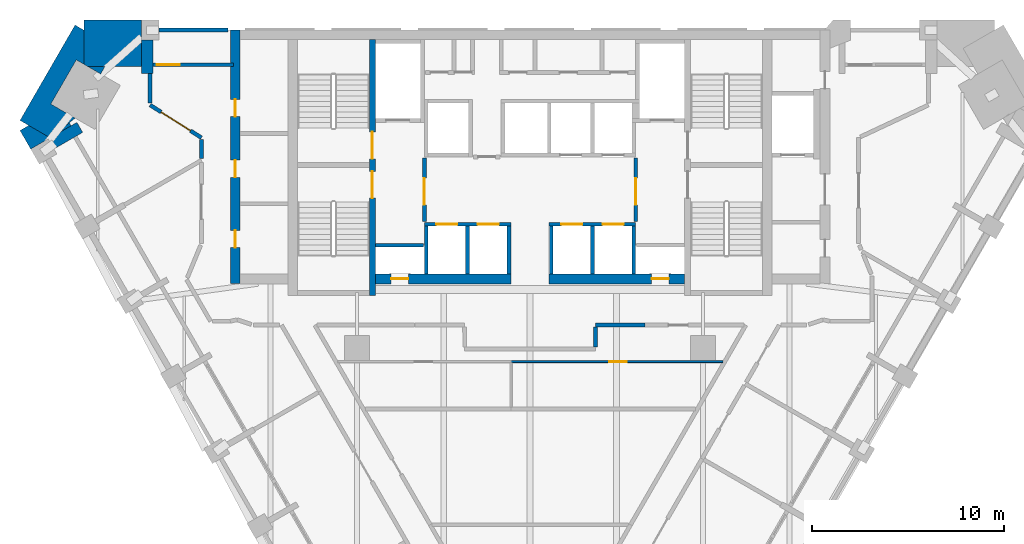
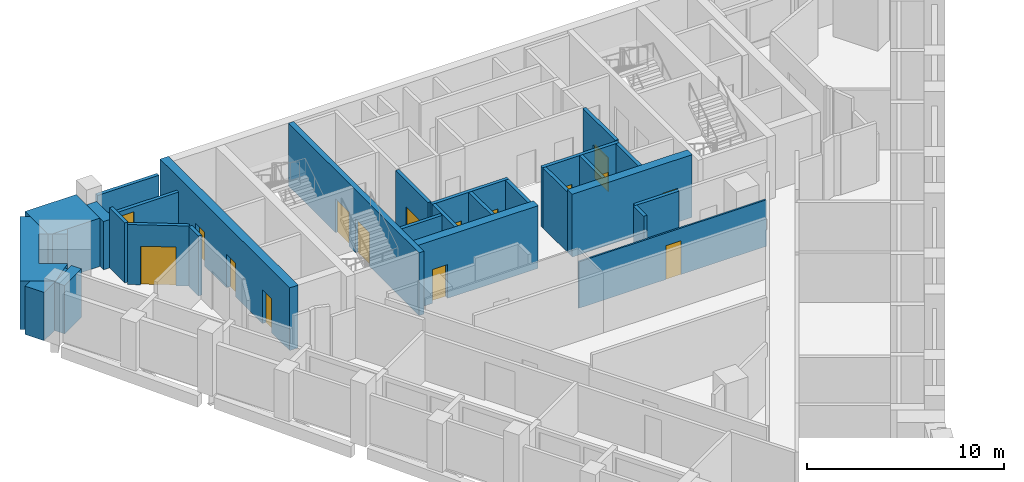
# One storey, part 5 of 10: 29 walls, 16 doors, 16 openings.
"""IFC4 building model written with IfcOpenShell, lengths in metres."""

from ifc_helpers import new_model, si_unit, direction, frame, frame_2d, origin, place, context, subcontext, project, spatial, polyline, rectangle, outline, extrude, material, layer, layer_set, type_object, element, fill, save


model = new_model("IFC4")

# Units and contexts
model_context = context("Model", 3, precision=1e-05, world=origin(), true_north=direction((0.0, 1.0)))
body_context = subcontext(model_context, "Body", "Model", "MODEL_VIEW")
ifc_project = project(units=[si_unit("LENGTHUNIT", "METRE"), si_unit("AREAUNIT", "SQUARE_METRE"), si_unit("VOLUMEUNIT", "CUBIC_METRE"), si_unit("PLANEANGLEUNIT", "RADIAN"), si_unit("MASSUNIT", "GRAM", prefix="KILO")], contexts=[model_context])

# Site, building, storey
site_placement = place(None, origin())
site = spatial("IfcSite", under=ifc_project, at=site_placement, CompositionType="ELEMENT")
building_placement = place(site_placement, origin())
building = spatial("IfcBuilding", under=site, at=building_placement, Name="Calabash Gate Tower", CompositionType="ELEMENT")
storey_placement = place(building_placement, frame((0.0, 0.0, 175.800048828125)))
storey = spatial("IfcBuildingStorey", under=building, at=storey_placement, Name="L41", CompositionType="ELEMENT", Elevation=175.800048828125)

# Walls
ifc_material_1 = material(Name="Terracotta brick masonry, exposed face", Category="masonry")
ifc_layer_1 = layer(ifc_material_1, 2.425048828125)
ifc_layer_set_1 = layer_set([ifc_layer_1], Name="Brick corner mass wall 2425")
wall_type_1 = type_object("IfcWallType", Name="Brick corner mass wall 2425", PredefinedType="SOLIDWALL", material=ifc_layer_set_1)
wall_1_placement = place(storey_placement, origin())
element("IfcWall", 1, at=wall_1_placement, inside=storey, type_object=wall_type_1, Name="Brick corner pier S11 4a", PredefinedType="SOLIDWALL", context=body_context, shape_type="SweptSolid", body=[
    extrude(outline(polyline([(-23.010986328125, 17.152587890625), (-20.220458984375, 17.152587890625), (-20.220458984375, 19.57763671875), (-23.2216796875, 19.57763671875), (-23.2216796875, 17.274169921875), (-23.010986328125, 17.152587890625)])), origin(), (0.0, 0.0, 1.0), 3.0),
])
wall_2_placement = place(storey_placement, origin())
element("IfcWall", 2, at=wall_2_placement, inside=storey, type_object=wall_type_1, Name="Brick corner pier S11 4ba", PredefinedType="SOLIDWALL", context=body_context, shape_type="SweptSolid", body=[
    extrude(outline(polyline([(-23.67138671875, 14.473876953125), (-24.93603515625, 15.2041015625), (-23.611083984375, 17.4990234375), (-23.2216796875, 17.274169921875), (-23.2216796875, 19.052490234375), (-23.676513671875, 19.31494140625), (-26.541748046875, 14.352294921875), (-24.970458984375, 13.4453125), (-23.67138671875, 14.473876953125)])), origin(), (0.0, 0.0, 1.0), 3.0),
])
wall_3_placement = place(storey_placement, origin())
element("IfcWall", 3, at=wall_3_placement, inside=storey, type_object=wall_type_1, Name="Brick corner pier S11 4bb", PredefinedType="SOLIDWALL", context=body_context, shape_type="SweptSolid", body=[
    extrude(outline(polyline([(-22.124755859375, 17.152587890625), (-23.010986328125, 17.152587890625), (-22.346435546875, 16.768798828125), (-22.124755859375, 17.152587890625)])), origin(), (0.0, 0.0, 1.0), 3.0),
])
wall_4_placement = place(storey_placement, origin())
element("IfcWall", 4, at=wall_4_placement, inside=storey, type_object=wall_type_1, Name="Brick corner pier S11 4c", PredefinedType="SOLIDWALL", context=body_context, shape_type="SweptSolid", body=[
    extrude(outline(polyline([(-23.9755859375, 14.23291015625), (-24.970458984375, 13.4453125), (-26.0869140625, 14.08984375), (-26.541748046875, 13.827392578125), (-25.9833984375, 12.8603515625), (-25.07421875, 13.38525390625), (-25.07421875, 13.38525390625), (-23.88330078125, 14.07275390625), (-23.9755859375, 14.23291015625)])), origin(), (0.0, 0.0, 1.0), 3.0),
])
ifc_material_2 = material(Name="Terracotta brick masonry, exposed face", Category="masonry")
ifc_layer_2 = layer(ifc_material_2, 0.300048828125)
ifc_layer_set_2 = layer_set([ifc_layer_2], Name="Brick loggia cheek wall 300")
wall_type_2 = type_object("IfcWallType", Name="Brick loggia cheek wall 300", PredefinedType="SOLIDWALL", material=ifc_layer_set_2)
wall_5_placement = place(storey_placement, frame((-24.924072265625, 13.12548828125, 0.0), z_axis=(0.0, 0.0, 1.0), x_axis=(0.866013532718, 0.500020560727, 0.0)))
element("IfcWall", 5, at=wall_5_placement, inside=storey, type_object=wall_type_2, Name="Loggia cheek S11 SW0.0", PredefinedType="SOLIDWALL", context=body_context, shape_type="SweptSolid", body=[
    extrude(rectangle(XDim=1.72509765625, YDim=0.60009765625, at=frame_2d((0.862548828125, 0.0))), origin(), (0.0, 0.0, 1.0), 3.0),
])
wall_6_placement = place(storey_placement, origin())
element("IfcWall", 6, at=wall_6_placement, inside=storey, type_object=wall_type_2, Name="Loggia cheek S11 N6.9", PredefinedType="SOLIDWALL", context=body_context, shape_type="SweptSolid", body=[
    extrude(outline(polyline([(-20.220458984375, 18.527587890625), (-20.220458984375, 16.802490234375), (-19.620361328125, 16.802490234375), (-19.620361328125, 18.527587890625), (-20.220458984375, 18.527587890625)])), origin(), (0.0, 0.0, 1.0), 3.0),
])

# Wall, openings, doors
ifc_material_3 = material(Name="Concrete C70/85", Category="concrete")
ifc_layer_3 = layer(ifc_material_3, 0.300048828125)
ifc_layer_set_3 = layer_set([ifc_layer_3], Name="Core wall 300 Concrete C70/85")
wall_type_3 = type_object("IfcWallType", Name="Core wall 300 Concrete C70/85", PredefinedType="SHEAR", material=ifc_layer_set_3)
wall_7_placement = place(storey_placement, frame((-8.199951171875, 5.252685546875, 0.0), z_axis=(0.0, 0.0, 1.0), x_axis=(0.0, 1.0, 0.0)))
wall_7 = element("IfcWall", 7, at=wall_7_placement, inside=storey, type_object=wall_type_3, Name="Core wall Z3-PARTW L41", PredefinedType="SHEAR", context=body_context, shape_type="SweptSolid", body=[
    extrude(rectangle(XDim=13.2998046875, YDim=0.300048828125, at=frame_2d((6.64990234375, 0.0))), origin(), (0.0, 0.0, 1.0), 3.89990234375),
])
opening_1_placement = place(wall_7_placement, frame((7.10009765625, 0.0, 0.0)))
opening_1 = element("IfcOpeningElement", 8, at=opening_1_placement, cuts=wall_7, Name="Opening O3-017", PredefinedType="OPENING", context=body_context, shape_type="SweptSolid", body=[
    extrude(rectangle(XDim=1.39990234375, YDim=2.10009765625, at=frame_2d((0.699951171875, 1.050048828125))), frame((0.0, 0.159912109375, 0.0), z_axis=(0.0, -1.0, 0.0), x_axis=(1.0, 0.0, 0.0)), (0.0, 0.0, 1.0), 0.320068359375),
])
opening_2_placement = place(wall_7_placement, frame((5.050048828125, 0.0, 0.0)))
opening_2 = element("IfcOpeningElement", 9, at=opening_2_placement, cuts=wall_7, Name="Opening O3-018", PredefinedType="OPENING", context=body_context, shape_type="SweptSolid", body=[
    extrude(rectangle(XDim=1.39990234375, YDim=2.10009765625, at=frame_2d((0.699951171875, 1.050048828125))), frame((0.0, 0.159912109375, 0.0), z_axis=(0.0, -1.0, 0.0), x_axis=(1.0, 0.0, 0.0)), (0.0, 0.0, 1.0), 0.320068359375),
])
ifc_material_4 = material(Name="Steel fire door set with fire-resisting glazing", Category="steel")
door_type_1 = type_object("IfcDoorType", Name="Fire door D05 1400x2100 FD90", OperationType="NOTDEFINED", PredefinedType="DOOR", material=ifc_material_4)
door_1_placement = place(opening_1_placement, origin())
door_1 = element("IfcDoor", 10, at=door_1_placement, inside=storey, type_object=door_type_1, Name="Exit stair door ST1", OperationType="SINGLE_SWING_LEFT", OverallHeight=2.10009765625, OverallWidth=1.39990234375, PredefinedType="DOOR", context=body_context, shape_type="SweptSolid", body=[
    extrude(rectangle(XDim=1.39990234375, YDim=2.10009765625, at=frame_2d((0.699951171875, 1.050048828125))), frame((0.0, 0.02490234375, 0.0), z_axis=(0.0, -1.0, 0.0), x_axis=(1.0, 0.0, 0.0)), (0.0, 0.0, 1.0), 0.050048828125),
])
fill(opening_1, door_1)
door_2_placement = place(opening_2_placement, origin())
door_2 = element("IfcDoor", 11, at=door_2_placement, inside=storey, type_object=door_type_1, Name="Exit stair door ST2", OperationType="SINGLE_SWING_LEFT", OverallHeight=2.10009765625, OverallWidth=1.39990234375, PredefinedType="DOOR", context=body_context, shape_type="SweptSolid", body=[
    extrude(rectangle(XDim=1.39990234375, YDim=2.10009765625, at=frame_2d((0.699951171875, 1.050048828125))), frame((0.0, 0.02490234375, 0.0), z_axis=(0.0, -1.0, 0.0), x_axis=(1.0, 0.0, 0.0)), (0.0, 0.0, 1.0), 0.050048828125),
])
fill(opening_2, door_2)

# Wall, opening, door
ifc_material_5 = material(Name="Concrete C70/85", Category="concrete")
ifc_layer_4 = layer(ifc_material_5, 0.5)
ifc_layer_set_4 = layer_set([ifc_layer_4], Name="Core wall 500 Concrete C70/85")
wall_type_4 = type_object("IfcWallType", Name="Core wall 500 Concrete C70/85", PredefinedType="SHEAR", material=ifc_layer_set_4)
wall_8_placement = place(storey_placement, frame((-8.050048828125, 6.1025390625, 0.0), z_axis=(0.0, 0.0, 1.0), x_axis=(1.0, 0.0, 0.0)))
wall_8 = element("IfcWall", 12, at=wall_8_placement, inside=storey, type_object=wall_type_4, Name="Core wall Z3-SA L41", PredefinedType="SHEAR", context=body_context, shape_type="SweptSolid", body=[
    extrude(rectangle(XDim=7.050048828125, YDim=0.5, at=frame_2d((3.52490234375, 0.0))), origin(), (0.0, 0.0, 1.0), 3.89990234375),
])
opening_3_placement = place(wall_8_placement, frame((0.824951171875, 0.0, 0.0)))
opening_3 = element("IfcOpeningElement", 13, at=opening_3_placement, cuts=wall_8, Name="Opening O3-016", PredefinedType="OPENING", context=body_context, shape_type="SweptSolid", body=[
    extrude(rectangle(XDim=0.89990234375, YDim=2.10009765625, at=frame_2d((0.449951171875, 1.050048828125))), frame((0.0, 0.260009765625, 0.0), z_axis=(0.0, -1.0, 0.0), x_axis=(1.0, 0.0, 0.0)), (0.0, 0.0, 1.0), 0.52001953125),
])
ifc_material_6 = material(Name="Steel fire door set with fire-resisting glazing", Category="steel")
door_type_2 = type_object("IfcDoorType", Name="Fire door D07 900x2100 FD90", OperationType="NOTDEFINED", PredefinedType="DOOR", material=ifc_material_6)
door_3_placement = place(opening_3_placement, origin())
door_3 = element("IfcDoor", 14, at=door_3_placement, inside=storey, type_object=door_type_2, Name="Electrical Riser W door", OperationType="SINGLE_SWING_LEFT", OverallHeight=2.10009765625, OverallWidth=0.89990234375, PredefinedType="DOOR", context=body_context, shape_type="SweptSolid", body=[
    extrude(rectangle(XDim=0.89990234375, YDim=2.10009765625, at=frame_2d((0.449951171875, 1.050048828125))), frame((0.0, 0.02490234375, 0.0), z_axis=(0.0, -1.0, 0.0), x_axis=(1.0, 0.0, 0.0)), (0.0, 0.0, 1.0), 0.050048828125),
])
fill(opening_3, door_3)

wall_9_placement = place(storey_placement, frame((1.0, 6.1025390625, 0.0), z_axis=(0.0, 0.0, 1.0), x_axis=(1.0, 0.0, 0.0)))
wall_9 = element("IfcWall", 15, at=wall_9_placement, inside=storey, type_object=wall_type_4, Name="Core wall Z3-SB L41", PredefinedType="SHEAR", context=body_context, shape_type="SweptSolid", body=[
    extrude(rectangle(XDim=7.050048828125, YDim=0.5, at=frame_2d((3.52490234375, 0.0))), origin(), (0.0, 0.0, 1.0), 3.89990234375),
])
opening_4_placement = place(wall_9_placement, frame((5.324951171875, 0.0, 0.0)))
opening_4 = element("IfcOpeningElement", 16, at=opening_4_placement, cuts=wall_9, Name="Opening O3-015", PredefinedType="OPENING", context=body_context, shape_type="SweptSolid", body=[
    extrude(rectangle(XDim=0.89990234375, YDim=2.10009765625, at=frame_2d((0.449951171875, 1.050048828125))), frame((0.0, 0.260009765625, 0.0), z_axis=(0.0, -1.0, 0.0), x_axis=(1.0, 0.0, 0.0)), (0.0, 0.0, 1.0), 0.52001953125),
])
door_4_placement = place(opening_4_placement, origin())
door_4 = element("IfcDoor", 17, at=door_4_placement, inside=storey, type_object=door_type_2, Name="Mechanical Riser E door", OperationType="SINGLE_SWING_RIGHT", OverallHeight=2.10009765625, OverallWidth=0.89990234375, PredefinedType="DOOR", context=body_context, shape_type="SweptSolid", body=[
    extrude(rectangle(XDim=0.89990234375, YDim=2.10009765625, at=frame_2d((0.449951171875, 1.050048828125))), frame((0.0, 0.02490234375, 0.0), z_axis=(0.0, -1.0, 0.0), x_axis=(1.0, 0.0, 0.0)), (0.0, 0.0, 1.0), 0.050048828125),
])
fill(opening_4, door_4)

# Wall, openings, doors
wall_10_placement = place(storey_placement, frame((-15.35009765625, 5.8525390625, 0.0), z_axis=(0.0, 0.0, 1.0), x_axis=(0.0, 1.0, 0.0)))
wall_10 = element("IfcWall", 18, at=wall_10_placement, inside=storey, type_object=wall_type_4, Name="Core wall Z3-ENDW L41", PredefinedType="SHEAR", context=body_context, shape_type="SweptSolid", body=[
    extrude(rectangle(XDim=13.199951171875, YDim=0.5, at=frame_2d((6.60009765625, 0.0))), origin(), (0.0, 0.0, 1.0), 3.89990234375),
])
opening_5_placement = place(wall_10_placement, frame((1.8798828125, 0.0, 0.0)))
opening_5 = element("IfcOpeningElement", 19, at=opening_5_placement, cuts=wall_10, Name="Opening O3-004", PredefinedType="OPENING", context=body_context, shape_type="SweptSolid", body=[
    extrude(rectangle(XDim=0.89990234375, YDim=2.10009765625, at=frame_2d((0.449951171875, 1.050048828125))), frame((0.0, 0.260009765625, 0.0), z_axis=(0.0, -1.0, 0.0), x_axis=(1.0, 0.0, 0.0)), (0.0, 0.0, 1.0), 0.52001953125),
])
opening_6_placement = place(wall_10_placement, frame((5.5400390625, 0.0, 0.0)))
opening_6 = element("IfcOpeningElement", 20, at=opening_6_placement, cuts=wall_10, Name="Opening O3-005", PredefinedType="OPENING", context=body_context, shape_type="SweptSolid", body=[
    extrude(rectangle(XDim=0.89990234375, YDim=2.10009765625, at=frame_2d((0.449951171875, 1.050048828125))), frame((0.0, 0.260009765625, 0.0), z_axis=(0.0, -1.0, 0.0), x_axis=(1.0, 0.0, 0.0)), (0.0, 0.0, 1.0), 0.52001953125),
])
opening_7_placement = place(wall_10_placement, frame((8.697509765625, 0.0, 0.0)))
opening_7 = element("IfcOpeningElement", 21, at=opening_7_placement, cuts=wall_10, Name="Opening O3-006", PredefinedType="OPENING", context=body_context, shape_type="SweptSolid", body=[
    extrude(rectangle(XDim=0.89990234375, YDim=2.10009765625, at=frame_2d((0.449951171875, 1.050048828125))), frame((0.0, 0.260009765625, 0.0), z_axis=(0.0, -1.0, 0.0), x_axis=(1.0, 0.0, 0.0)), (0.0, 0.0, 1.0), 0.52001953125),
])
ifc_material_7 = material(Name="Steel fire door set with fire-resisting glazing", Category="steel")
door_type_3 = type_object("IfcDoorType", Name="Fire door D06 900x2100 FD60", OperationType="NOTDEFINED", PredefinedType="DOOR", material=ifc_material_7)
door_5_placement = place(opening_5_placement, origin())
door_5 = element("IfcDoor", 22, at=door_5_placement, inside=storey, type_object=door_type_3, Name="Cleaner's Store door", OperationType="SINGLE_SWING_LEFT", OverallHeight=2.10009765625, OverallWidth=0.89990234375, PredefinedType="DOOR", context=body_context, shape_type="SweptSolid", body=[
    extrude(rectangle(XDim=0.89990234375, YDim=2.10009765625, at=frame_2d((0.449951171875, 1.050048828125))), frame((0.0, 0.02490234375, 0.0), z_axis=(0.0, -1.0, 0.0), x_axis=(1.0, 0.0, 0.0)), (0.0, 0.0, 1.0), 0.050048828125),
])
fill(opening_5, door_5)
door_6_placement = place(opening_6_placement, origin())
door_6 = element("IfcDoor", 23, at=door_6_placement, inside=storey, type_object=door_type_3, Name="Print Room door", OperationType="SINGLE_SWING_LEFT", OverallHeight=2.10009765625, OverallWidth=0.89990234375, PredefinedType="DOOR", context=body_context, shape_type="SweptSolid", body=[
    extrude(rectangle(XDim=0.89990234375, YDim=2.10009765625, at=frame_2d((0.449951171875, 1.050048828125))), frame((0.0, 0.02490234375, 0.0), z_axis=(0.0, -1.0, 0.0), x_axis=(1.0, 0.0, 0.0)), (0.0, 0.0, 1.0), 0.050048828125),
])
fill(opening_6, door_6)
door_7_placement = place(opening_7_placement, origin())
door_7 = element("IfcDoor", 24, at=door_7_placement, inside=storey, type_object=door_type_3, Name="Meter Room door", OperationType="SINGLE_SWING_LEFT", OverallHeight=2.10009765625, OverallWidth=0.89990234375, PredefinedType="DOOR", context=body_context, shape_type="SweptSolid", body=[
    extrude(rectangle(XDim=0.89990234375, YDim=2.10009765625, at=frame_2d((0.449951171875, 1.050048828125))), frame((0.0, 0.02490234375, 0.0), z_axis=(0.0, -1.0, 0.0), x_axis=(1.0, 0.0, 0.0)), (0.0, 0.0, 1.0), 0.050048828125),
])
fill(opening_7, door_7)

# Wall, opening, door
ifc_material_8 = material(Name="Gypsum board on steel studs, mineral wool", Category="steel")
ifc_layer_5 = layer(ifc_material_8, 0.10009765625)
ifc_layer_set_5 = layer_set([ifc_layer_5], Name="Partition 100 gypsum board")
wall_type_5 = type_object("IfcWallType", Name="Partition 100 gypsum board", PredefinedType="PARTITIONING", material=ifc_layer_set_5)
wall_11_placement = place(storey_placement, frame((-0.980224609375, 1.798095703125, 0.0), z_axis=(0.0, 0.0, 1.0), x_axis=(1.0, 0.0, 0.0)))
wall_11 = element("IfcWall", 25, at=wall_11_placement, inside=storey, type_object=wall_type_5, Name="Partition", PredefinedType="PARTITIONING", context=body_context, shape_type="SweptSolid", body=[
    extrude(rectangle(XDim=11.0146484375, YDim=0.10009765625, at=frame_2d((5.50732421875, 0.0))), origin(), (0.0, 0.0, 1.0), 2.884033203125),
])
opening_8_placement = place(wall_11_placement, frame((5.10693359375, 0.0, 0.0)))
opening_8 = element("IfcOpeningElement", 26, at=opening_8_placement, cuts=wall_11, Name="Opening 39-41-016", PredefinedType="OPENING", context=body_context, shape_type="SweptSolid", body=[
    extrude(rectangle(XDim=0.89990234375, YDim=2.10009765625, at=frame_2d((0.449951171875, 1.050048828125))), frame((0.0, 0.06005859375, 0.0), z_axis=(0.0, -1.0, 0.0), x_axis=(1.0, 0.0, 0.0)), (0.0, 0.0, 1.0), 0.1201171875),
])
ifc_material_9 = material(Name="Painted timber door", Category="wood")
door_type_4 = type_object("IfcDoorType", Name="WD1 WC door 900x2100", OperationType="NOTDEFINED", PredefinedType="DOOR", material=ifc_material_9)
door_8_placement = place(opening_8_placement, origin())
door_8 = element("IfcDoor", 27, at=door_8_placement, inside=storey, type_object=door_type_4, Name="WC door", OperationType="SINGLE_SWING_LEFT", OverallHeight=2.10009765625, OverallWidth=0.89990234375, PredefinedType="DOOR", context=body_context, shape_type="SweptSolid", body=[
    extrude(rectangle(XDim=0.89990234375, YDim=2.10009765625, at=frame_2d((0.449951171875, 1.050048828125))), frame((0.0, 0.02490234375, 0.0), z_axis=(0.0, -1.0, 0.0), x_axis=(1.0, 0.0, 0.0)), (0.0, 0.0, 1.0), 0.050048828125),
])
fill(opening_8, door_8)

# Walls
ifc_material_10 = material(Name="Gypsum board on steel studs, mineral wool", Category="steel")
ifc_layer_6 = layer(ifc_material_10, 0.199951171875)
ifc_layer_set_6 = layer_set([ifc_layer_6], Name="Partition 200 gypsum board EI 60")
wall_type_6 = type_object("IfcWallType", Name="Partition 200 gypsum board EI 60", PredefinedType="PARTITIONING", material=ifc_layer_set_6)
wall_12_placement = place(storey_placement, frame((3.400146484375, 2.552490234375, 0.0), z_axis=(0.0, 0.0, 1.0), x_axis=(0.001633984747, 0.999998665046, 0.0)))
element("IfcWall", 28, at=wall_12_placement, inside=storey, type_object=wall_type_6, Name="Partition", PredefinedType="PARTITIONING", context=body_context, shape_type="SweptSolid", body=[
    extrude(rectangle(XDim=1.0458984375, YDim=0.199951171875, at=frame_2d((0.52294921875, 0.0))), origin(), (0.0, 0.0, 1.0), 3.72998046875),
])
wall_13_placement = place(storey_placement, frame((3.402099609375, 3.698486328125, 0.0), z_axis=(0.0, 0.0, 1.0), x_axis=(0.999999839346, 0.000566839777, 0.0)))
element("IfcWall", 29, at=wall_13_placement, inside=storey, type_object=wall_type_6, Name="Partition", PredefinedType="PARTITIONING", context=body_context, shape_type="SweptSolid", body=[
    extrude(rectangle(XDim=2.584228515625, YDim=0.199951171875, at=frame_2d((1.2919921875, 0.0))), origin(), (0.0, 0.0, 1.0), 3.72998046875),
])
wall_14_placement = place(storey_placement, frame((-17.101806640625, 12.372314453125, 0.0), z_axis=(0.0, 0.0, 1.0), x_axis=(0.001245639293, 0.999999224191, 0.0)))
element("IfcWall", 30, at=wall_14_placement, inside=storey, type_object=wall_type_6, Name="Partition", PredefinedType="PARTITIONING", context=body_context, shape_type="SweptSolid", body=[
    extrude(rectangle(XDim=0.97998046875, YDim=0.199951171875, at=frame_2d((0.489990234375, 0.0))), origin(), (0.0, 0.0, 1.0), 3.72998046875),
])

# Wall, opening, door
wall_15_placement = place(storey_placement, frame((-19.770751953125, 15.15234375, 0.0), z_axis=(0.0, 0.0, 1.0), x_axis=(0.843553490885, -0.537045163851, 0.0)))
wall_15 = element("IfcWall", 31, at=wall_15_placement, inside=storey, type_object=wall_type_6, Name="Partition", PredefinedType="PARTITIONING", context=body_context, shape_type="SweptSolid", body=[
    extrude(rectangle(XDim=3.165283203125, YDim=0.199951171875, at=frame_2d((1.58251953125, 0.0))), origin(), (0.0, 0.0, 1.0), 3.72998046875),
])
opening_9_placement = place(wall_15_placement, frame((0.682861328125, 0.0, 0.0)))
opening_9 = element("IfcOpeningElement", 32, at=opening_9_placement, cuts=wall_15, Name="Opening 39-41-010", PredefinedType="OPENING", context=body_context, shape_type="SweptSolid", body=[
    extrude(rectangle(XDim=1.800048828125, YDim=2.39990234375, at=frame_2d((0.89990234375, 1.199951171875))), frame((0.0, 0.10986328125, 0.0), z_axis=(0.0, -1.0, 0.0), x_axis=(1.0, 0.0, 0.0)), (0.0, 0.0, 1.0), 0.219970703125),
])
ifc_material_11 = material(Name="Steel fire door set with fire-resisting glazing", Category="steel")
door_type_5 = type_object("IfcDoorType", Name="OD5 Open office double door 1800x2400", OperationType="NOTDEFINED", PredefinedType="DOOR", material=ifc_material_11)
door_9_placement = place(opening_9_placement, origin())
door_9 = element("IfcDoor", 33, at=door_9_placement, inside=storey, type_object=door_type_5, Name="Open office double door", OperationType="DOUBLE_DOOR_SINGLE_SWING", OverallHeight=2.39990234375, OverallWidth=1.800048828125, PredefinedType="DOOR", context=body_context, shape_type="SweptSolid", body=[
    extrude(rectangle(XDim=1.800048828125, YDim=2.39990234375, at=frame_2d((0.89990234375, 1.199951171875))), frame((0.0, 0.02490234375, 0.0), z_axis=(0.0, -1.0, 0.0), x_axis=(1.0, 0.0, 0.0)), (0.0, 0.0, 1.0), 0.050048828125),
])
fill(opening_9, door_9)

# Walls
wall_16_placement = place(storey_placement, frame((-19.770751953125, 16.802490234375, 0.0), z_axis=(0.0, 0.0, 1.0), x_axis=(0.0, -1.0, 0.0)))
element("IfcWall", 34, at=wall_16_placement, inside=storey, type_object=wall_type_6, Name="Partition", PredefinedType="PARTITIONING", context=body_context, shape_type="SweptSolid", body=[
    extrude(rectangle(XDim=1.55029296875, YDim=0.199951171875, at=frame_2d((0.775146484375, 0.0))), origin(), (0.0, 0.0, 1.0), 3.72998046875),
])
ifc_material_12 = material(Name="Concrete C40/50", Category="concrete")
ifc_layer_7 = layer(ifc_material_12, 0.199951171875)
ifc_layer_set_7 = layer_set([ifc_layer_7], Name="Shaft wall 200 Concrete C40/50")
wall_type_7 = type_object("IfcWallType", Name="Shaft wall 200 Concrete C40/50", PredefinedType="SOLIDWALL", material=ifc_layer_set_7)
for number, where, z_axis, x_axis, name in (
    (35, (-5.39990234375, 6.3525390625, 0.0), (0.0, 0.0, 1.0), (0.0, 1.0, 0.0), "Shaft wall"),
    (36, (-3.25, 6.3525390625, 0.0), (0.0, 0.0, 1.0), (0.0, 1.0, 0.0), "Shaft wall"),
    (37, (-1.10009765625, 6.3525390625, 0.0), (0.0, 0.0, 1.0), (0.0, 1.0, 0.0), "Shaft wall"),
    (38, (1.10009765625, 6.3525390625, 0.0), (0.0, 0.0, 1.0), (0.0, 1.0, 0.0), "Shaft wall"),
    (39, (3.25, 6.3525390625, 0.0), (0.0, 0.0, 1.0), (0.0, 1.0, 0.0), "Shaft wall"),
    (40, (5.39990234375, 6.3525390625, 0.0), (0.0, 0.0, 1.0), (0.0, 1.0, 0.0), "Shaft wall"),
    (41, (-8.050048828125, 7.8525390625, 0.0), (0.0, 0.0, 1.0), (1.0, 0.0, 0.0), "Shaft wall"),
):
    element("IfcWall", number, at=place(storey_placement, frame(where, z_axis=z_axis, x_axis=x_axis)), inside=storey, type_object=wall_type_7, Name=name, PredefinedType="SOLIDWALL", context=body_context, shape_type="SweptSolid", body=[
        extrude(rectangle(XDim=2.5, YDim=0.199951171875, at=frame_2d((1.25, 0.0))), origin(), (0.0, 0.0, 1.0), 3.72998046875),
    ])

# Wall, openings, doors
wall_17_placement = place(storey_placement, frame((-5.5, 8.95263671875, 0.0), z_axis=(0.0, 0.0, 1.0), x_axis=(1.0, 0.0, 0.0)))
wall_17 = element("IfcWall", 42, at=wall_17_placement, inside=storey, type_object=wall_type_7, Name="Shaft wall", PredefinedType="SOLIDWALL", context=body_context, shape_type="SweptSolid", body=[
    extrude(rectangle(XDim=4.5, YDim=0.199951171875, at=frame_2d((2.25, 0.0))), origin(), (0.0, 0.0, 1.0), 3.72998046875),
])
opening_10_placement = place(wall_17_placement, frame((0.625, 0.0, 0.0)))
opening_10 = element("IfcOpeningElement", 43, at=opening_10_placement, cuts=wall_17, Name="Opening LD-HR1", PredefinedType="OPENING", context=body_context, shape_type="SweptSolid", body=[
    extrude(rectangle(XDim=1.10009765625, YDim=2.10009765625, at=frame_2d((0.550048828125, 1.050048828125))), frame((0.0, 0.10986328125, 0.0), z_axis=(0.0, -1.0, 0.0), x_axis=(1.0, 0.0, 0.0)), (0.0, 0.0, 1.0), 0.219970703125),
])
opening_11_placement = place(wall_17_placement, frame((2.77490234375, 0.0, 0.0)))
opening_11 = element("IfcOpeningElement", 44, at=opening_11_placement, cuts=wall_17, Name="Opening LD-HR2", PredefinedType="OPENING", context=body_context, shape_type="SweptSolid", body=[
    extrude(rectangle(XDim=1.10009765625, YDim=2.10009765625, at=frame_2d((0.550048828125, 1.050048828125))), frame((0.0, 0.10986328125, 0.0), z_axis=(0.0, -1.0, 0.0), x_axis=(1.0, 0.0, 0.0)), (0.0, 0.0, 1.0), 0.219970703125),
])
ifc_material_13 = material(Name="Stainless steel sliding door leaves", Category="steel")
door_type_6 = type_object("IfcDoorType", Name="Lift landing door LS1 1100x2100 FD90", OperationType="DOUBLE_DOOR_SLIDING", PredefinedType="DOOR", material=ifc_material_13)
door_10_placement = place(opening_10_placement, origin())
door_10 = element("IfcDoor", 45, at=door_10_placement, inside=storey, type_object=door_type_6, Name="Lift landing door HR1", OperationType="DOUBLE_DOOR_SLIDING", OverallHeight=2.10009765625, OverallWidth=1.10009765625, PredefinedType="DOOR", context=body_context, shape_type="SweptSolid", body=[
    extrude(rectangle(XDim=1.10009765625, YDim=2.10009765625, at=frame_2d((0.550048828125, 1.050048828125))), frame((0.0, 0.02490234375, 0.0), z_axis=(0.0, -1.0, 0.0), x_axis=(1.0, 0.0, 0.0)), (0.0, 0.0, 1.0), 0.050048828125),
])
fill(opening_10, door_10)
door_11_placement = place(opening_11_placement, origin())
door_11 = element("IfcDoor", 46, at=door_11_placement, inside=storey, type_object=door_type_6, Name="Lift landing door HR2", OperationType="DOUBLE_DOOR_SLIDING", OverallHeight=2.10009765625, OverallWidth=1.10009765625, PredefinedType="DOOR", context=body_context, shape_type="SweptSolid", body=[
    extrude(rectangle(XDim=1.10009765625, YDim=2.10009765625, at=frame_2d((0.550048828125, 1.050048828125))), frame((0.0, 0.02490234375, 0.0), z_axis=(0.0, -1.0, 0.0), x_axis=(1.0, 0.0, 0.0)), (0.0, 0.0, 1.0), 0.050048828125),
])
fill(opening_11, door_11)

wall_18_placement = place(storey_placement, frame((1.0, 8.95263671875, 0.0), z_axis=(0.0, 0.0, 1.0), x_axis=(1.0, 0.0, 0.0)))
wall_18 = element("IfcWall", 47, at=wall_18_placement, inside=storey, type_object=wall_type_7, Name="Shaft wall", PredefinedType="SOLIDWALL", context=body_context, shape_type="SweptSolid", body=[
    extrude(rectangle(XDim=4.5, YDim=0.199951171875, at=frame_2d((2.25, 0.0))), origin(), (0.0, 0.0, 1.0), 3.72998046875),
])
opening_12_placement = place(wall_18_placement, frame((0.625, 0.0, 0.0)))
opening_12 = element("IfcOpeningElement", 48, at=opening_12_placement, cuts=wall_18, Name="Opening LD-HR3", PredefinedType="OPENING", context=body_context, shape_type="SweptSolid", body=[
    extrude(rectangle(XDim=1.10009765625, YDim=2.10009765625, at=frame_2d((0.550048828125, 1.050048828125))), frame((0.0, 0.10986328125, 0.0), z_axis=(0.0, -1.0, 0.0), x_axis=(1.0, 0.0, 0.0)), (0.0, 0.0, 1.0), 0.219970703125),
])
opening_13_placement = place(wall_18_placement, frame((2.77490234375, 0.0, 0.0)))
opening_13 = element("IfcOpeningElement", 49, at=opening_13_placement, cuts=wall_18, Name="Opening LD-HR4", PredefinedType="OPENING", context=body_context, shape_type="SweptSolid", body=[
    extrude(rectangle(XDim=1.10009765625, YDim=2.10009765625, at=frame_2d((0.550048828125, 1.050048828125))), frame((0.0, 0.10986328125, 0.0), z_axis=(0.0, -1.0, 0.0), x_axis=(1.0, 0.0, 0.0)), (0.0, 0.0, 1.0), 0.219970703125),
])
door_12_placement = place(opening_12_placement, origin())
door_12 = element("IfcDoor", 50, at=door_12_placement, inside=storey, type_object=door_type_6, Name="Lift landing door HR3", OperationType="DOUBLE_DOOR_SLIDING", OverallHeight=2.10009765625, OverallWidth=1.10009765625, PredefinedType="DOOR", context=body_context, shape_type="SweptSolid", body=[
    extrude(rectangle(XDim=1.10009765625, YDim=2.10009765625, at=frame_2d((0.550048828125, 1.050048828125))), frame((0.0, 0.02490234375, 0.0), z_axis=(0.0, -1.0, 0.0), x_axis=(1.0, 0.0, 0.0)), (0.0, 0.0, 1.0), 0.050048828125),
])
fill(opening_12, door_12)
door_13_placement = place(opening_13_placement, origin())
door_13 = element("IfcDoor", 51, at=door_13_placement, inside=storey, type_object=door_type_6, Name="Lift landing door HR4", OperationType="DOUBLE_DOOR_SLIDING", OverallHeight=2.10009765625, OverallWidth=1.10009765625, PredefinedType="DOOR", context=body_context, shape_type="SweptSolid", body=[
    extrude(rectangle(XDim=1.10009765625, YDim=2.10009765625, at=frame_2d((0.550048828125, 1.050048828125))), frame((0.0, 0.02490234375, 0.0), z_axis=(0.0, -1.0, 0.0), x_axis=(1.0, 0.0, 0.0)), (0.0, 0.0, 1.0), 0.050048828125),
])
fill(opening_13, door_13)

# Wall, opening, door
wall_19_placement = place(storey_placement, frame((-5.5, 9.1025390625, 0.0), z_axis=(0.0, 0.0, 1.0), x_axis=(0.0, 1.0, 0.0)))
wall_19 = element("IfcWall", 52, at=wall_19_placement, inside=storey, type_object=wall_type_7, Name="Shaft wall", PredefinedType="SOLIDWALL", context=body_context, shape_type="SweptSolid", body=[
    extrude(rectangle(XDim=3.300048828125, YDim=0.199951171875, at=frame_2d((1.64990234375, 0.0))), origin(), (0.0, 0.0, 1.0), 3.72998046875),
])
opening_14_placement = place(wall_19_placement, frame((0.85009765625, 0.0, 0.0)))
opening_14 = element("IfcOpeningElement", 53, at=opening_14_placement, cuts=wall_19, Name="Opening O3-009", PredefinedType="OPENING", context=body_context, shape_type="SweptSolid", body=[
    extrude(rectangle(XDim=1.39990234375, YDim=2.10009765625, at=frame_2d((0.699951171875, 1.050048828125))), frame((0.0, 0.10986328125, 0.0), z_axis=(0.0, -1.0, 0.0), x_axis=(1.0, 0.0, 0.0)), (0.0, 0.0, 1.0), 0.219970703125),
])
door_14_placement = place(opening_14_placement, origin())
door_14 = element("IfcDoor", 54, at=door_14_placement, inside=storey, type_object=door_type_1, Name="Firefighting Lobby W door", OperationType="SINGLE_SWING_RIGHT", OverallHeight=2.10009765625, OverallWidth=1.39990234375, PredefinedType="DOOR", context=body_context, shape_type="SweptSolid", body=[
    extrude(rectangle(XDim=1.39990234375, YDim=2.10009765625, at=frame_2d((0.699951171875, 1.050048828125))), frame((0.0, 0.02490234375, 0.0), z_axis=(0.0, -1.0, 0.0), x_axis=(1.0, 0.0, 0.0)), (0.0, 0.0, 1.0), 0.050048828125),
])
fill(opening_14, door_14)

wall_20_placement = place(storey_placement, frame((5.5, 9.1025390625, 0.0), z_axis=(0.0, 0.0, 1.0), x_axis=(0.0, 1.0, 0.0)))
wall_20 = element("IfcWall", 55, at=wall_20_placement, inside=storey, type_object=wall_type_7, Name="Shaft wall", PredefinedType="SOLIDWALL", context=body_context, shape_type="SweptSolid", body=[
    extrude(rectangle(XDim=3.300048828125, YDim=0.199951171875, at=frame_2d((1.64990234375, 0.0))), origin(), (0.0, 0.0, 1.0), 3.72998046875),
])
opening_15_placement = place(wall_20_placement, frame((0.85009765625, 0.0, 0.0)))
opening_15 = element("IfcOpeningElement", 56, at=opening_15_placement, cuts=wall_20, Name="Opening O3-008", PredefinedType="OPENING", context=body_context, shape_type="SweptSolid", body=[
    extrude(rectangle(XDim=1.39990234375, YDim=2.10009765625, at=frame_2d((0.699951171875, 1.050048828125))), frame((0.0, 0.10986328125, 0.0), z_axis=(0.0, -1.0, 0.0), x_axis=(1.0, 0.0, 0.0)), (0.0, 0.0, 1.0), 0.219970703125),
])
door_15_placement = place(opening_15_placement, origin())
door_15 = element("IfcDoor", 57, at=door_15_placement, inside=storey, type_object=door_type_1, Name="Firefighting Lobby E door", OperationType="SINGLE_SWING_LEFT", OverallHeight=2.10009765625, OverallWidth=1.39990234375, PredefinedType="DOOR", context=body_context, shape_type="SweptSolid", body=[
    extrude(rectangle(XDim=1.39990234375, YDim=2.10009765625, at=frame_2d((0.699951171875, 1.050048828125))), frame((0.0, 0.02490234375, 0.0), z_axis=(0.0, -1.0, 0.0), x_axis=(1.0, 0.0, 0.0)), (0.0, 0.0, 1.0), 0.050048828125),
])
fill(opening_15, door_15)

# Wall
ifc_material_14 = material(Name="Terracotta brick masonry, perforated", Category="masonry")
ifc_layer_8 = layer(ifc_material_14, 0.199951171875)
ifc_layer_set_8 = layer_set([ifc_layer_8], Name="Terracotta jaali screen A")
wall_type_8 = type_object("IfcWallType", Name="Terracotta jaali screen A", PredefinedType="SOLIDWALL", material=ifc_layer_set_8)
wall_21_placement = place(storey_placement, frame((-15.720458984375, 19.052490234375, 0.0), z_axis=(0.0, 0.0, 1.0), x_axis=(-1.0, 0.0, 0.0)))
element("IfcWall", 58, at=wall_21_placement, inside=storey, type_object=wall_type_8, Name="SCREEN A S11 N6.9", PredefinedType="SOLIDWALL", context=body_context, shape_type="SweptSolid", body=[
    extrude(rectangle(XDim=3.599853515625, YDim=0.199951171875, at=frame_2d((1.7998046875, 0.0))), origin(), (0.0, 0.0, 1.0), 3.0),
])

# Wall, opening, door
ifc_material_15 = material(Name="Aluminium framed window wall with insulated spandrel", Category="aluminium")
ifc_layer_9 = layer(ifc_material_15, 0.199951171875)
ifc_layer_set_9 = layer_set([ifc_layer_9], Name="Window wall 200")
wall_type_9 = type_object("IfcWallType", Name="Window wall 200", PredefinedType="ELEMENTEDWALL", material=ifc_layer_set_9)
wall_22_placement = place(storey_placement, frame((-15.42041015625, 17.25244140625, 0.0), z_axis=(0.0, 0.0, 1.0), x_axis=(-1.0, 0.0, 0.0)))
wall_22 = element("IfcWall", 59, at=wall_22_placement, inside=storey, type_object=wall_type_9, Name="Window wall S11 N6.9", PredefinedType="ELEMENTEDWALL", context=body_context, shape_type="SweptSolid", body=[
    extrude(rectangle(XDim=4.199951171875, YDim=0.199951171875, at=frame_2d((2.10009765625, 0.0))), origin(), (0.0, 0.0, 1.0), 3.0),
])
opening_16_placement = place(wall_22_placement, frame((2.800048828125, 0.0, 0.0)))
opening_16 = element("IfcOpeningElement", 60, at=opening_16_placement, cuts=wall_22, Name="Opening O3-022", PredefinedType="OPENING", context=body_context, shape_type="SweptSolid", body=[
    extrude(rectangle(XDim=1.199951171875, YDim=2.699951171875, at=frame_2d((0.60009765625, 1.35009765625))), frame((0.0, 0.10986328125, 0.0), z_axis=(0.0, -1.0, 0.0), x_axis=(1.0, 0.0, 0.0)), (0.0, 0.0, 1.0), 0.219970703125),
])
ifc_material_16 = material(Name="Anodised aluminium frame, bronze finish, impact-rated laminated clear glazing", Category="aluminium")
door_type_7 = type_object("IfcDoorType", Name="Loggia door DO1 1200x2700", OperationType="SLIDING_TO_LEFT", PredefinedType="DOOR", material=ifc_material_16)
door_16_placement = place(opening_16_placement, origin())
door_16 = element("IfcDoor", 61, at=door_16_placement, inside=storey, type_object=door_type_7, Name="Loggia door S11 N6.9", OperationType="SINGLE_SWING_LEFT", OverallHeight=2.699951171875, OverallWidth=1.199951171875, PredefinedType="DOOR", context=body_context, shape_type="SweptSolid", body=[
    extrude(rectangle(XDim=1.199951171875, YDim=2.699951171875, at=frame_2d((0.60009765625, 1.35009765625))), frame((0.0, 0.02490234375, 0.0), z_axis=(0.0, -1.0, 0.0), x_axis=(1.0, 0.0, 0.0)), (0.0, 0.0, 1.0), 0.050048828125),
])
fill(opening_16, door_16)

save(model, "model.ifc")
